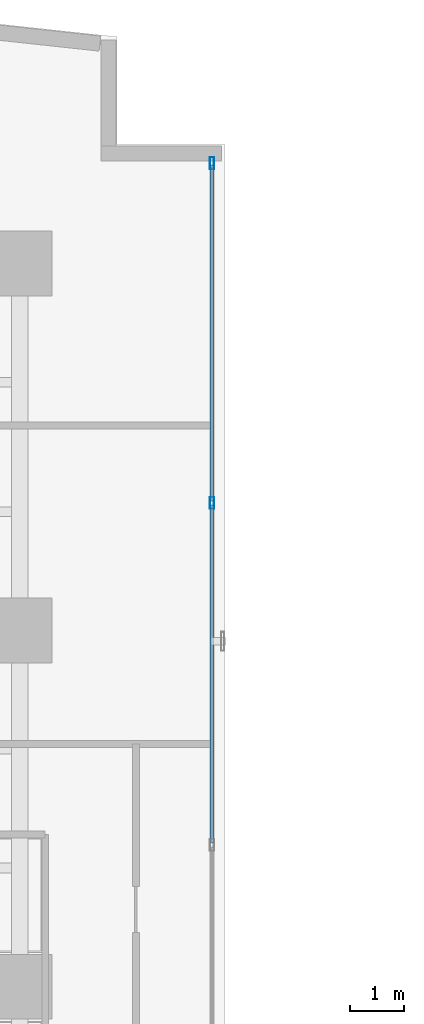
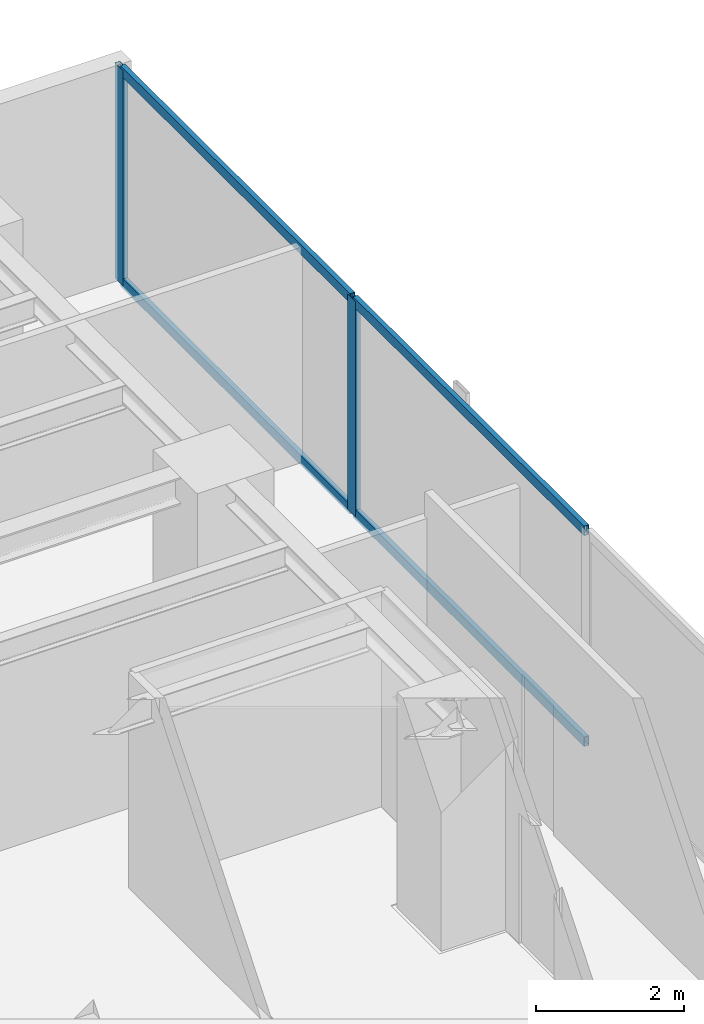
# One storey, part 17 of 24: 6 members, 1 element without a shape of its own.
"""IFC4 building model written with IfcOpenShell, lengths in metres."""

from ifc_helpers import new_model, si_unit, direction, frame, origin, origin_with_axes, origin_2d, place, context, subcontext, project, spatial, hollow_rectangle, extrude, source, transform, mapped, material, layer, layer_set, material_profile, profile_set, type_object, element, aggregate, save


model = new_model("IFC4")

# Units and contexts
model_context = context("Model", 3, precision=1e-05, world=origin(), true_north=direction((0.0, 1.0)))
body_context = subcontext(model_context, "Body", "Model", "MODEL_VIEW")
ifc_project = project(units=[si_unit("LENGTHUNIT", "METRE"), si_unit("AREAUNIT", "SQUARE_METRE"), si_unit("VOLUMEUNIT", "CUBIC_METRE"), si_unit("PLANEANGLEUNIT", "RADIAN"), si_unit("MASSUNIT", "GRAM", prefix="KILO")], contexts=[model_context])

# Site, building, storey
site_placement = place(None, origin())
site = spatial("IfcSite", under=ifc_project, at=site_placement, CompositionType="ELEMENT")
building_placement = place(site_placement, origin())
building = spatial("IfcBuilding", under=site, at=building_placement, Name="Kolvaren Waterfront Exchange", CompositionType="ELEMENT")
storey_placement = place(building_placement, frame((0.0, 0.0, 172.800048828125)))
storey = spatial("IfcBuildingStorey", under=building, at=storey_placement, Name="L44", CompositionType="ELEMENT", Elevation=172.800048828125)

# Curtain wall, members
ifc_material_1 = material(Name="Anodised bronze aluminium 6063-T6", Category="aluminium")
ifc_layer = layer(ifc_material_1, 0.219970703125, Name="Anodised bronze aluminium 6063-T6")
ifc_layer_set = layer_set([ifc_layer], Name="Anodised bronze aluminium 6063-T6")
curtain_wall_type = type_object("IfcCurtainWallType", Name="ARC-CW-SYS1", PredefinedType="USERDEFINED", material=ifc_layer_set)
curtain_wall_placement = place(storey_placement, origin())
curtain_wall = element("IfcCurtainWall", 1, at=curtain_wall_placement, inside=storey, type_object=curtain_wall_type, Name="L44 stick curtain wall CW1 (CW-L44-NE)", ObjectType="STICK CURTAIN WALL", PredefinedType="USERDEFINED")
ifc_material_2 = material(Name="Anodised aluminium 6063-T6", Category="aluminium")
ifc_material_profile_1 = material_profile(ifc_material_2, hollow_rectangle(XDim=0.080078125, YDim=0.219970703125, WallThickness=0.0048828125, at=origin_2d()), Name="ALU-MUL-220x80x5")
ifc_profile_set_1 = profile_set([ifc_material_profile_1], Name="Anodised aluminium 6063-T6")
member_type_1 = type_object("IfcMemberType", Name="ARC-CWM-220", PredefinedType="MULLION", material=ifc_profile_set_1)
shared_shape_1 = source(origin_with_axes(), body_context, "Body", "SweptSolid", [
    extrude(hollow_rectangle(XDim=0.080078125, YDim=0.219970703125, WallThickness=0.0048828125, at=origin_2d()), origin(), (0.0, 0.0, 1.0), 3.56005859375),
])
member_1_placement = place(storey_placement, frame((22.360107421875, 40.163330078125, 0.0), z_axis=(0.0, 0.0, 1.0), x_axis=(-1.0, 0.0, 0.0)))
member_1 = element("IfcMember", 2, at=member_1_placement, type_object=member_type_1, Name="CW1 mullion 3", PredefinedType="MULLION", context=body_context, shape_type="MappedRepresentation", body=[
    mapped(shared_shape_1, transform((0.0, 0.0, 0.0), x_axis=(1.0, 0.0, 0.0), y_axis=(0.0, 1.0, 0.0), z_axis=(0.0, 0.0, 1.0), scale=1.0)),
])
member_2_placement = place(storey_placement, frame((22.360107421875, 46.4599609375, 0.0), z_axis=(0.0, 0.0, 1.0), x_axis=(-1.0, 0.0, 0.0)))
member_2 = element("IfcMember", 3, at=member_2_placement, type_object=member_type_1, Name="CW1 mullion 4", PredefinedType="MULLION", context=body_context, shape_type="MappedRepresentation", body=[
    mapped(shared_shape_1, transform((0.0, 0.0, 0.0), x_axis=(1.0, 0.0, 0.0), y_axis=(0.0, 1.0, 0.0), z_axis=(0.0, 0.0, 1.0), scale=1.0)),
])
ifc_material_profile_2 = material_profile(ifc_material_2, hollow_rectangle(XDim=0.074951171875, YDim=0.159912109375, WallThickness=0.00439453125, at=origin_2d()), Name="ALU-TRN-160x75x4.5")
ifc_profile_set_2 = profile_set([ifc_material_profile_2], Name="Anodised aluminium 6063-T6")
member_type_2 = type_object("IfcMemberType", Name="ARC-CWT-160", PredefinedType="USERDEFINED", material=ifc_profile_set_2)
shared_shape_2 = source(origin_with_axes(), body_context, "Body", "SweptSolid", [
    extrude(hollow_rectangle(XDim=0.074951171875, YDim=0.159912109375, WallThickness=0.00439453125, at=origin_2d()), origin(), (0.0, 0.0, 1.0), 6.216552734375),
])
member_3_placement = place(storey_placement, frame((22.360107421875, 40.203369140625, 0.037353515625), z_axis=(0.0, 1.0, 0.0), x_axis=(-1.0, 0.0, 0.0)))
member_3 = element("IfcMember", 4, at=member_3_placement, type_object=member_type_2, Name="CW1 transom 3.1", ObjectType="TRANSOM", PredefinedType="USERDEFINED", context=body_context, shape_type="MappedRepresentation", body=[
    mapped(shared_shape_2, transform((0.0, 0.0, 0.0), x_axis=(1.0, 0.0, 0.0), y_axis=(0.0, 1.0, 0.0), z_axis=(0.0, 0.0, 1.0), scale=1.0)),
])
member_4_placement = place(storey_placement, frame((22.360107421875, 40.203369140625, 3.5224609375), z_axis=(0.0, 1.0, 0.0), x_axis=(-1.0, 0.0, 0.0)))
member_4 = element("IfcMember", 5, at=member_4_placement, type_object=member_type_2, Name="CW1 transom 3.2", ObjectType="TRANSOM", PredefinedType="USERDEFINED", context=body_context, shape_type="MappedRepresentation", body=[
    mapped(shared_shape_2, transform((0.0, 0.0, 0.0), x_axis=(1.0, 0.0, 0.0), y_axis=(0.0, 1.0, 0.0), z_axis=(0.0, 0.0, 1.0), scale=1.0)),
])
shared_shape_3 = source(origin_with_axes(), body_context, "Body", "SweptSolid", [
    extrude(hollow_rectangle(XDim=0.074951171875, YDim=0.159912109375, WallThickness=0.00439453125, at=origin_2d()), origin(), (0.0, 0.0, 1.0), 6.256591796875),
])
member_5_placement = place(storey_placement, frame((22.360107421875, 33.86669921875, 0.037353515625), z_axis=(0.0, 1.0, 0.0), x_axis=(-1.0, 0.0, 0.0)))
member_5 = element("IfcMember", 6, at=member_5_placement, type_object=member_type_2, Name="CW1 transom 2.1", ObjectType="TRANSOM", PredefinedType="USERDEFINED", context=body_context, shape_type="MappedRepresentation", body=[
    mapped(shared_shape_3, transform((0.0, 0.0, 0.0), x_axis=(1.0, 0.0, 0.0), y_axis=(0.0, 1.0, 0.0), z_axis=(0.0, 0.0, 1.0), scale=1.0)),
])
member_6_placement = place(storey_placement, frame((22.360107421875, 33.86669921875, 3.5224609375), z_axis=(0.0, 1.0, 0.0), x_axis=(-1.0, 0.0, 0.0)))
member_6 = element("IfcMember", 7, at=member_6_placement, type_object=member_type_2, Name="CW1 transom 2.2", ObjectType="TRANSOM", PredefinedType="USERDEFINED", context=body_context, shape_type="MappedRepresentation", body=[
    mapped(shared_shape_3, transform((0.0, 0.0, 0.0), x_axis=(1.0, 0.0, 0.0), y_axis=(0.0, 1.0, 0.0), z_axis=(0.0, 0.0, 1.0), scale=1.0)),
])
aggregate(curtain_wall, [member_1, member_2, member_5, member_6, member_3, member_4])

save(model, "model.ifc")
